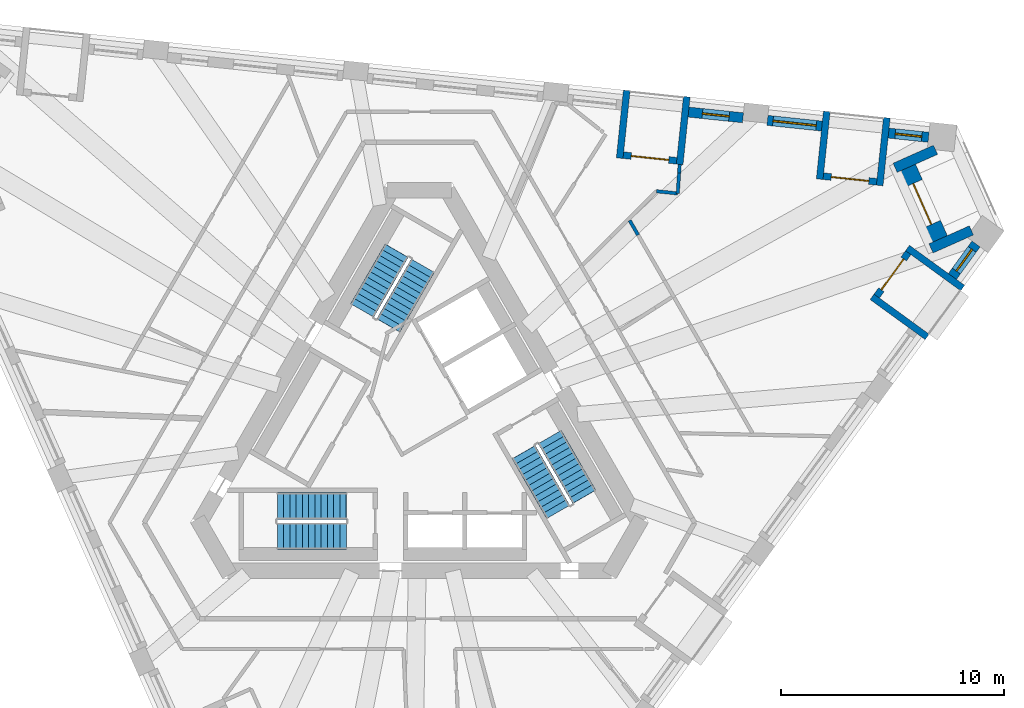
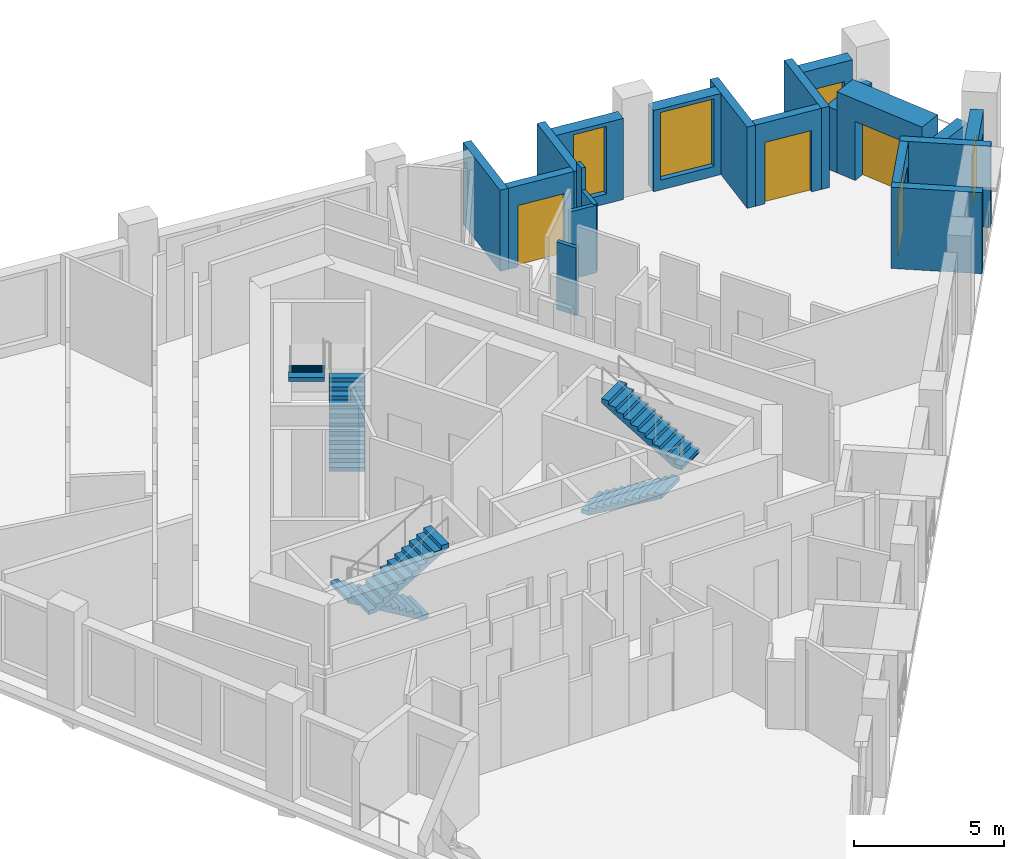
# One storey, part 8 of 11: 20 walls, 6 stair flights, 4 doors, 4 windows, 8 openings, 3 elements without a shape of their own.
"""IFC4 building model written with IfcOpenShell, lengths in metres."""

from ifc_helpers import new_model, si_unit, direction, frame, frame_2d, origin, place, context, subcontext, project, spatial, polyline, rectangle, outline, extrude, material, layer, layer_set, type_object, element, fill, aggregate, save


model = new_model("IFC4")

# Units and contexts
model_context = context("Model", 3, precision=1e-05, world=origin(), true_north=direction((0.0, 1.0)))
body_context = subcontext(model_context, "Body", "Model", "MODEL_VIEW")
ifc_project = project(units=[si_unit("LENGTHUNIT", "METRE"), si_unit("AREAUNIT", "SQUARE_METRE"), si_unit("VOLUMEUNIT", "CUBIC_METRE"), si_unit("PLANEANGLEUNIT", "RADIAN"), si_unit("MASSUNIT", "GRAM", prefix="KILO")], contexts=[model_context])

# Site, building, storey
site_placement = place(None, origin())
site = spatial("IfcSite", under=ifc_project, at=site_placement, CompositionType="ELEMENT")
building_placement = place(site_placement, origin())
building = spatial("IfcBuilding", under=site, at=building_placement, Name="Tramontana Tower", CompositionType="ELEMENT")
storey_placement = place(building_placement, frame((0.0, 0.0, 265.199951171875)))
storey = spatial("IfcBuildingStorey", under=building, at=storey_placement, Name="L62", CompositionType="ELEMENT", Elevation=265.199951171875)

# Wall, opening, window
ifc_material_1 = material(Name="Precast concrete 60 MPa", Category="concrete")
ifc_layer_1 = layer(ifc_material_1, 0.449951171875)
ifc_layer_set_1 = layer_set([ifc_layer_1], Name="Precast concrete 60 MPa, 450 mm")
wall_type_1 = type_object("IfcWallType", Name="EW1 Stone-faced precast wall 450", PredefinedType="SOLIDWALL", material=ifc_layer_set_1)
wall_1_placement = place(storey_placement, frame((23.868408203125, 6.77978515625, 0.0), z_axis=(0.0, 0.0, 1.0), x_axis=(0.587793056764, 0.809011324037, 0.0)))
wall_1 = element("IfcWall", 1, at=wall_1_placement, inside=storey, type_object=wall_type_1, Name="External wall L62 face 1 bay 5", PredefinedType="SOLIDWALL", context=body_context, shape_type="SweptSolid", body=[
    extrude(rectangle(XDim=1.80224609375, YDim=0.449951171875, at=frame_2d((0.901123046875, 0.0))), origin(), (0.0, 0.0, 1.0), 3.300048828125),
])
opening_1_placement = place(wall_1_placement, frame((0.301025390625, 0.0, 0.39990234375)))
opening_1 = element("IfcOpeningElement", 2, at=opening_1_placement, cuts=wall_1, Name="Opening N3L", PredefinedType="OPENING", context=body_context, shape_type="SweptSolid", body=[
    extrude(rectangle(XDim=1.199951171875, YDim=2.10009765625, at=frame_2d((0.60009765625, 1.050048828125))), frame((0.0, 0.23486328125, 0.0), z_axis=(0.0, -1.0, 0.0), x_axis=(1.0, 0.0, 0.0)), (0.0, 0.0, 1.0), 0.469970703125),
])
ifc_material_2 = material(Name="Aluminum frame, double glazing unit", Category="aluminium")
window_type_1 = type_object("IfcWindowType", Name="N3L Window 1.2 x 2.1", PartitioningType="SINGLE_PANEL", PredefinedType="WINDOW", material=ifc_material_2)
window_1_placement = place(opening_1_placement, origin())
window_1 = element("IfcWindow", 3, at=window_1_placement, inside=storey, type_object=window_type_1, Name="Window N3L L62 face 1 module 15", OverallHeight=2.10009765625, OverallWidth=1.199951171875, PartitioningType="SINGLE_PANEL", PredefinedType="WINDOW", context=body_context, shape_type="SweptSolid", body=[
    extrude(rectangle(XDim=1.199951171875, YDim=2.10009765625, at=frame_2d((0.60009765625, 1.050048828125))), frame((0.0, 0.030029296875, 0.0), z_axis=(0.0, -1.0, 0.0), x_axis=(1.0, 0.0, 0.0)), (0.0, 0.0, 1.0), 0.06005859375),
])
fill(opening_1, window_1)

wall_2_placement = place(storey_placement, frame((22.8017578125, 13.012939453125, 0.0), z_axis=(0.0, 0.0, 1.0), x_axis=(-0.994529922737, 0.104452059724, 0.0)))
wall_2 = element("IfcWall", 4, at=wall_2_placement, inside=storey, type_object=wall_type_1, Name="External wall L62 face 2 bay 1", PredefinedType="SOLIDWALL", context=body_context, shape_type="SweptSolid", body=[
    extrude(rectangle(XDim=1.802001953125, YDim=0.449951171875, at=frame_2d((0.90087890625, 0.0))), origin(), (0.0, 0.0, 1.0), 3.300048828125),
])
opening_2_placement = place(wall_2_placement, frame((0.301025390625, 0.0, 0.39990234375)))
opening_2 = element("IfcOpeningElement", 5, at=opening_2_placement, cuts=wall_2, Name="Opening N3L", PredefinedType="OPENING", context=body_context, shape_type="SweptSolid", body=[
    extrude(rectangle(XDim=1.199951171875, YDim=2.10009765625, at=frame_2d((0.60009765625, 1.050048828125))), frame((0.0, 0.23486328125, 0.0), z_axis=(0.0, -1.0, 0.0), x_axis=(1.0, 0.0, 0.0)), (0.0, 0.0, 1.0), 0.469970703125),
])
window_2_placement = place(opening_2_placement, origin())
window_2 = element("IfcWindow", 6, at=window_2_placement, inside=storey, type_object=window_type_1, Name="Window N3L L62 face 2 module 1", OverallHeight=2.10009765625, OverallWidth=1.199951171875, PartitioningType="SINGLE_PANEL", PredefinedType="WINDOW", context=body_context, shape_type="SweptSolid", body=[
    extrude(rectangle(XDim=1.199951171875, YDim=2.10009765625, at=frame_2d((0.60009765625, 1.050048828125))), frame((0.0, 0.030029296875, 0.0), z_axis=(0.0, -1.0, 0.0), x_axis=(1.0, 0.0, 0.0)), (0.0, 0.0, 1.0), 0.06005859375),
])
fill(opening_2, window_2)

wall_3_placement = place(storey_placement, frame((18.023681640625, 13.51513671875, 0.0), z_axis=(0.0, 0.0, 1.0), x_axis=(-0.994520717537, 0.104539668977, 0.0)))
wall_3 = element("IfcWall", 7, at=wall_3_placement, inside=storey, type_object=wall_type_1, Name="External wall L62 face 2 bay 1", PredefinedType="SOLIDWALL", context=body_context, shape_type="SweptSolid", body=[
    extrude(rectangle(XDim=2.4521484375, YDim=0.449951171875, at=frame_2d((1.22607421875, 0.0))), origin(), (0.0, 0.0, 1.0), 3.300048828125),
])
opening_3_placement = place(wall_3_placement, frame((0.251220703125, 0.0, 0.39990234375)))
opening_3 = element("IfcOpeningElement", 8, at=opening_3_placement, cuts=wall_3, Name="Opening M3", PredefinedType="OPENING", context=body_context, shape_type="SweptSolid", body=[
    extrude(rectangle(XDim=1.949951171875, YDim=2.75, at=frame_2d((0.97509765625, 1.375))), frame((0.0, 0.23486328125, 0.0), z_axis=(0.0, -1.0, 0.0), x_axis=(1.0, 0.0, 0.0)), (0.0, 0.0, 1.0), 0.469970703125),
])
ifc_material_3 = material(Name="Aluminum frame, double glazing unit", Category="aluminium")
window_type_2 = type_object("IfcWindowType", Name="M3 Window 1.95 x 2.75", PartitioningType="SINGLE_PANEL", PredefinedType="WINDOW", material=ifc_material_3)
window_3_placement = place(opening_3_placement, origin())
window_3 = element("IfcWindow", 9, at=window_3_placement, inside=storey, type_object=window_type_2, Name="Window M3 L62 face 2 module 3", OverallHeight=2.75, OverallWidth=1.949951171875, PartitioningType="SINGLE_PANEL", PredefinedType="WINDOW", context=body_context, shape_type="SweptSolid", body=[
    extrude(rectangle(XDim=1.949951171875, YDim=2.75, at=frame_2d((0.97509765625, 1.375))), frame((0.0, 0.030029296875, 0.0), z_axis=(0.0, -1.0, 0.0), x_axis=(1.0, 0.0, 0.0)), (0.0, 0.0, 1.0), 0.06005859375),
])
fill(opening_3, window_3)

wall_4_placement = place(storey_placement, frame((14.490966796875, 13.886474609375, 0.0), z_axis=(0.0, 0.0, 1.0), x_axis=(-0.99453214974, 0.104430853361, 0.0)))
wall_4 = element("IfcWall", 10, at=wall_4_placement, inside=storey, type_object=wall_type_1, Name="External wall L62 face 2 bay 2", PredefinedType="SOLIDWALL", context=body_context, shape_type="SweptSolid", body=[
    extrude(rectangle(XDim=2.452392578125, YDim=0.449951171875, at=frame_2d((1.22607421875, 0.0))), origin(), (0.0, 0.0, 1.0), 3.300048828125),
])
opening_4_placement = place(wall_4_placement, frame((0.626220703125, 0.0, 0.39990234375)))
opening_4 = element("IfcOpeningElement", 11, at=opening_4_placement, cuts=wall_4, Name="Opening N3", PredefinedType="OPENING", context=body_context, shape_type="SweptSolid", body=[
    extrude(rectangle(XDim=1.199951171875, YDim=2.75, at=frame_2d((0.60009765625, 1.375))), frame((0.0, 0.23486328125, 0.0), z_axis=(0.0, -1.0, 0.0), x_axis=(1.0, 0.0, 0.0)), (0.0, 0.0, 1.0), 0.469970703125),
])
ifc_material_4 = material(Name="Aluminum frame, double glazing unit", Category="aluminium")
window_type_3 = type_object("IfcWindowType", Name="N3 Window 1.2 x 2.75", PartitioningType="SINGLE_PANEL", PredefinedType="WINDOW", material=ifc_material_4)
window_4_placement = place(opening_4_placement, origin())
window_4 = element("IfcWindow", 12, at=window_4_placement, inside=storey, type_object=window_type_3, Name="Window N3 L62 face 2 module 4", OverallHeight=2.75, OverallWidth=1.199951171875, PartitioningType="SINGLE_PANEL", PredefinedType="WINDOW", context=body_context, shape_type="SweptSolid", body=[
    extrude(rectangle(XDim=1.199951171875, YDim=2.75, at=frame_2d((0.60009765625, 1.375))), frame((0.0, 0.030029296875, 0.0), z_axis=(0.0, -1.0, 0.0), x_axis=(1.0, 0.0, 0.0)), (0.0, 0.0, 1.0), 0.06005859375),
])
fill(opening_4, window_4)

# Walls
for number, where, z_axis, x_axis, name in (
    (13, (23.112548828125, 12.452392578125, 0.0), (0.0, 0.0, 1.0), (-0.913516289312, -0.406802149899, 0.0), "Corner loggia side wall L62 K62l"),
    (14, (24.71923828125, 8.84375, 0.0), (0.0, 0.0, 1.0), (-0.913562124494, -0.406699206651, 0.0), "Corner loggia side wall L62 K62r"),
):
    element("IfcWall", number, at=place(storey_placement, frame(where, z_axis=z_axis, x_axis=x_axis)), inside=storey, type_object=wall_type_1, Name=name, PredefinedType="SOLIDWALL", context=body_context, shape_type="SweptSolid", body=[
        extrude(rectangle(XDim=1.979248046875, YDim=0.449951171875, at=frame_2d((0.98974609375, 0.0))), origin(), (0.0, 0.0, 1.0), 2.550048828125),
    ])

# Wall, opening, door
ifc_material_5 = material(Name="Precast concrete 60 MPa", Category="concrete")
ifc_layer_2 = layer(ifc_material_5, 0.89990234375)
ifc_layer_set_2 = layer_set([ifc_layer_2], Name="EW2 Stone-faced corner loggia wall 900")
wall_type_2 = type_object("IfcWallType", Name="EW2 Stone-faced corner loggia wall 900", PredefinedType="SOLIDWALL", material=ifc_layer_set_2)
wall_5_placement = place(storey_placement, frame((21.80712890625, 11.624755859375, 0.0), z_axis=(0.0, 0.0, 1.0), x_axis=(0.406727323635, -0.913549606868, 0.0)))
wall_5 = element("IfcWall", 15, at=wall_5_placement, inside=storey, type_object=wall_type_2, Name="Corner loggia wall L62 K62", PredefinedType="SOLIDWALL", context=body_context, shape_type="SweptSolid", body=[
    extrude(rectangle(XDim=3.5, YDim=0.89990234375, at=frame_2d((1.75, 0.0))), origin(), (0.0, 0.0, 1.0), 3.300048828125),
])
opening_5_placement = place(wall_5_placement, frame((0.75, 0.0, 0.0)))
opening_5 = element("IfcOpeningElement", 16, at=opening_5_placement, cuts=wall_5, Name="Opening BD-62C", PredefinedType="OPENING", context=body_context, shape_type="SweptSolid", body=[
    extrude(rectangle(XDim=2.0, YDim=2.39990234375, at=frame_2d((1.0, 1.199951171875))), frame((0.0, 0.4599609375, 0.0), z_axis=(0.0, -1.0, 0.0), x_axis=(1.0, 0.0, 0.0)), (0.0, 0.0, 1.0), 0.919921875),
])
ifc_material_6 = material(Name="Aluminum frame, double glazing unit", Category="aluminium")
door_type_1 = type_object("IfcDoorType", Name="BC1 Sliding door 2 x 2.4", OperationType="SLIDING_TO_LEFT", PredefinedType="DOOR", material=ifc_material_6)
door_1_placement = place(opening_5_placement, origin())
door_1 = element("IfcDoor", 17, at=door_1_placement, inside=storey, type_object=door_type_1, Name="Corner loggia door L62 K62", OperationType="SLIDING_TO_LEFT", OverallHeight=2.39990234375, OverallWidth=2.0, PredefinedType="DOOR", context=body_context, shape_type="SweptSolid", body=[
    extrude(rectangle(XDim=2.0, YDim=2.39990234375, at=frame_2d((1.0, 1.199951171875))), frame((0.0, 0.02490234375, 0.0), z_axis=(0.0, -1.0, 0.0), x_axis=(1.0, 0.0, 0.0)), (0.0, 0.0, 1.0), 0.050048828125),
])
fill(opening_5, door_1)

ifc_material_7 = material(Name="Precast concrete 60 MPa", Category="concrete")
ifc_layer_3 = layer(ifc_material_7, 0.300048828125)
ifc_layer_set_3 = layer_set([ifc_layer_3], Name="LW1 Stone-faced loggia wall 300")
wall_type_3 = type_object("IfcWallType", Name="LW1 Stone-faced loggia wall 300", PredefinedType="SOLIDWALL", material=ifc_layer_set_3)
wall_6_placement = place(storey_placement, frame((20.47998046875, 5.9013671875, 0.0), z_axis=(0.0, 0.0, 1.0), x_axis=(0.587833242688, 0.808982125137, 0.0)))
wall_6 = element("IfcWall", 18, at=wall_6_placement, inside=storey, type_object=wall_type_3, Name="Loggia wall L62 G6S1.13", PredefinedType="SOLIDWALL", context=body_context, shape_type="SweptSolid", body=[
    extrude(rectangle(XDim=2.40234375, YDim=0.300048828125, at=frame_2d((1.201171875, 0.0))), origin(), (0.0, 0.0, 1.0), 3.300048828125),
])
opening_6_placement = place(wall_6_placement, frame((0.35107421875, 0.0, 0.0)))
opening_6 = element("IfcOpeningElement", 19, at=opening_6_placement, cuts=wall_6, Name="Opening BD-6S1-13", PredefinedType="OPENING", context=body_context, shape_type="SweptSolid", body=[
    extrude(rectangle(XDim=1.699951171875, YDim=2.5, at=frame_2d((0.85009765625, 1.25))), frame((0.0, 0.159912109375, 0.0), z_axis=(0.0, -1.0, 0.0), x_axis=(1.0, 0.0, 0.0)), (0.0, 0.0, 1.0), 0.320068359375),
])
ifc_material_8 = material(Name="Aluminum frame, double glazing unit", Category="aluminium")
door_type_2 = type_object("IfcDoorType", Name="BD3 Sliding door 1.7 x 2.5", OperationType="SLIDING_TO_LEFT", PredefinedType="DOOR", material=ifc_material_8)
door_2_placement = place(opening_6_placement, origin())
door_2 = element("IfcDoor", 20, at=door_2_placement, inside=storey, type_object=door_type_2, Name="Loggia door L62 G6S1.13", OperationType="SLIDING_TO_LEFT", OverallHeight=2.5, OverallWidth=1.699951171875, PredefinedType="DOOR", context=body_context, shape_type="SweptSolid", body=[
    extrude(rectangle(XDim=1.699951171875, YDim=2.5, at=frame_2d((0.85009765625, 1.25))), frame((0.0, 0.02490234375, 0.0), z_axis=(0.0, -1.0, 0.0), x_axis=(1.0, 0.0, 0.0)), (0.0, 0.0, 1.0), 0.050048828125),
])
fill(opening_6, door_2)

# Walls
for number, where, z_axis, x_axis, name in (
    (21, (22.738037109375, 4.075439453125, 0.0), (0.0, 0.0, 1.0), (-0.80902328748, 0.587776590479, 0.0), "Loggia return L62 G6S1.13a"),
    (22, (24.326416015625, 6.261474609375, 0.0), (0.0, 0.0, 1.0), (-0.808985223782, 0.587828978278, 0.0), "Loggia return L62 G6S1.13b"),
):
    element("IfcWall", number, at=place(storey_placement, frame(where, z_axis=z_axis, x_axis=x_axis)), inside=storey, type_object=wall_type_3, Name=name, PredefinedType="SOLIDWALL", context=body_context, shape_type="SweptSolid", body=[
        extrude(rectangle(XDim=3.050048828125, YDim=0.300048828125, at=frame_2d((1.52490234375, 0.0))), origin(), (0.0, 0.0, 1.0), 3.300048828125),
    ])

# Wall, opening, door
wall_7_placement = place(storey_placement, frame((20.478515625, 11.019775390625, 0.0), z_axis=(0.0, 0.0, 1.0), x_axis=(-0.994517140727, 0.104573690763, 0.0)))
wall_7 = element("IfcWall", 23, at=wall_7_placement, inside=storey, type_object=wall_type_3, Name="Loggia wall L62 G6S2.1", PredefinedType="SOLIDWALL", context=body_context, shape_type="SweptSolid", body=[
    extrude(rectangle(XDim=2.40234375, YDim=0.300048828125, at=frame_2d((1.201171875, 0.0))), origin(), (0.0, 0.0, 1.0), 3.300048828125),
])
opening_7_placement = place(wall_7_placement, frame((0.35107421875, 0.0, 0.0)))
opening_7 = element("IfcOpeningElement", 24, at=opening_7_placement, cuts=wall_7, Name="Opening BD-6S2-01", PredefinedType="OPENING", context=body_context, shape_type="SweptSolid", body=[
    extrude(rectangle(XDim=1.699951171875, YDim=2.5, at=frame_2d((0.85009765625, 1.25))), frame((0.0, 0.159912109375, 0.0), z_axis=(0.0, -1.0, 0.0), x_axis=(1.0, 0.0, 0.0)), (0.0, 0.0, 1.0), 0.320068359375),
])
door_3_placement = place(opening_7_placement, origin())
door_3 = element("IfcDoor", 25, at=door_3_placement, inside=storey, type_object=door_type_2, Name="Loggia door L62 G6S2.1", OperationType="SLIDING_TO_LEFT", OverallHeight=2.5, OverallWidth=1.699951171875, PredefinedType="DOOR", context=body_context, shape_type="SweptSolid", body=[
    extrude(rectangle(XDim=1.699951171875, YDim=2.5, at=frame_2d((0.85009765625, 1.25))), frame((0.0, 0.02490234375, 0.0), z_axis=(0.0, -1.0, 0.0), x_axis=(1.0, 0.0, 0.0)), (0.0, 0.0, 1.0), 0.050048828125),
])
fill(opening_7, door_3)

# Walls
for number, where, z_axis, x_axis, name in (
    (26, (20.930908203125, 13.88818359375, 0.0), (0.0, 0.0, 1.0), (-0.104543108891, -0.994520355942, 0.0), "Loggia return L62 G6S2.1a"),
    (27, (18.243408203125, 14.170654296875, 0.0), (0.0, 0.0, 1.0), (-0.104543108891, -0.994520355942, 0.0), "Loggia return L62 G6S2.1b"),
):
    element("IfcWall", number, at=place(storey_placement, frame(where, z_axis=z_axis, x_axis=x_axis)), inside=storey, type_object=wall_type_3, Name=name, PredefinedType="SOLIDWALL", context=body_context, shape_type="SweptSolid", body=[
        extrude(rectangle(XDim=3.0498046875, YDim=0.300048828125, at=frame_2d((1.52490234375, 0.0))), origin(), (0.0, 0.0, 1.0), 3.300048828125),
    ])

# Wall, opening, door
wall_8_placement = place(storey_placement, frame((11.521240234375, 11.961181640625, 0.0), z_axis=(0.0, 0.0, 1.0), x_axis=(-0.994517140727, 0.104573690763, 0.0)))
wall_8 = element("IfcWall", 28, at=wall_8_placement, inside=storey, type_object=wall_type_3, Name="Loggia wall L62 G6S2.4", PredefinedType="SOLIDWALL", context=body_context, shape_type="SweptSolid", body=[
    extrude(rectangle(XDim=2.40234375, YDim=0.300048828125, at=frame_2d((1.201171875, 0.0))), origin(), (0.0, 0.0, 1.0), 3.300048828125),
])
opening_8_placement = place(wall_8_placement, frame((0.35107421875, 0.0, 0.0)))
opening_8 = element("IfcOpeningElement", 29, at=opening_8_placement, cuts=wall_8, Name="Opening BD-6S2-04", PredefinedType="OPENING", context=body_context, shape_type="SweptSolid", body=[
    extrude(rectangle(XDim=1.699951171875, YDim=2.5, at=frame_2d((0.85009765625, 1.25))), frame((0.0, 0.159912109375, 0.0), z_axis=(0.0, -1.0, 0.0), x_axis=(1.0, 0.0, 0.0)), (0.0, 0.0, 1.0), 0.320068359375),
])
door_4_placement = place(opening_8_placement, origin())
door_4 = element("IfcDoor", 30, at=door_4_placement, inside=storey, type_object=door_type_2, Name="Loggia door L62 G6S2.4", OperationType="SLIDING_TO_LEFT", OverallHeight=2.5, OverallWidth=1.699951171875, PredefinedType="DOOR", context=body_context, shape_type="SweptSolid", body=[
    extrude(rectangle(XDim=1.699951171875, YDim=2.5, at=frame_2d((0.85009765625, 1.25))), frame((0.0, 0.02490234375, 0.0), z_axis=(0.0, -1.0, 0.0), x_axis=(1.0, 0.0, 0.0)), (0.0, 0.0, 1.0), 0.050048828125),
])
fill(opening_8, door_4)

# Walls
for number, where, z_axis, x_axis, name in (
    (31, (11.973388671875, 14.82958984375, 0.0), (0.0, 0.0, 1.0), (-0.104463934444, -0.994528675504, 0.0), "Loggia return L62 G6S2.4a"),
    (32, (9.2861328125, 15.112060546875, 0.0), (0.0, 0.0, 1.0), (-0.104543108891, -0.994520355942, 0.0), "Loggia return L62 G6S2.4b"),
):
    element("IfcWall", number, at=place(storey_placement, frame(where, z_axis=z_axis, x_axis=x_axis)), inside=storey, type_object=wall_type_3, Name=name, PredefinedType="SOLIDWALL", context=body_context, shape_type="SweptSolid", body=[
        extrude(rectangle(XDim=3.0498046875, YDim=0.300048828125, at=frame_2d((1.52490234375, 0.0))), origin(), (0.0, 0.0, 1.0), 3.300048828125),
    ])
ifc_material_9 = material(Name="Gypsum board partition")
ifc_layer_4 = layer(ifc_material_9, 0.14990234375)
ifc_layer_set_4 = layer_set([ifc_layer_4], Name="PARTITION 150")
wall_type_4 = type_object("IfcWallType", Name="PARTITION 150", PredefinedType="PARTITIONING", material=ifc_layer_set_4)
wall_9_placement = place(storey_placement, frame((9.415771484375, 9.291259765625, 0.0), z_axis=(0.0, 0.0, 1.0), x_axis=(0.500132351176, -0.865948977311, 0.0)))
element("IfcWall", 33, at=wall_9_placement, inside=storey, type_object=wall_type_4, Name="Wall v62-pw27-0", PredefinedType="PARTITIONING", context=body_context, shape_type="SweptSolid", body=[
    extrude(rectangle(XDim=0.756103515625, YDim=0.14990234375, at=frame_2d((0.3779296875, 0.0))), origin(), (0.0, 0.0, 1.0), 2.75),
])
wall_10_placement = place(storey_placement, frame((10.618896484375, 10.597900390625, 0.0), z_axis=(0.0, 0.0, 1.0), x_axis=(0.994522285292, -0.104524753323, 0.0)))
element("IfcWall", 34, at=wall_10_placement, inside=storey, type_object=wall_type_4, Name="Wall v62-pw31-0", PredefinedType="PARTITIONING", context=body_context, shape_type="SweptSolid", body=[
    extrude(rectangle(XDim=0.952880859375, YDim=0.14990234375, at=frame_2d((0.4765625, 0.0))), origin(), (0.0, 0.0, 1.0), 2.75),
])
wall_11_placement = place(storey_placement, frame((11.56884765625, 10.5, 0.0), z_axis=(0.0, 0.0, 1.0), x_axis=(0.065954162618, 0.997822653798, 0.0)))
element("IfcWall", 35, at=wall_11_placement, inside=storey, type_object=wall_type_4, Name="Wall v62-pw33-0", PredefinedType="PARTITIONING", context=body_context, shape_type="SweptSolid", body=[
    extrude(rectangle(XDim=0.91796875, YDim=0.14990234375, at=frame_2d((0.458984375, 0.0))), origin(), (0.0, 0.0, 1.0), 2.75),
])
wall_12_placement = place(storey_placement, frame((11.62939453125, 11.416015625, 0.0), z_axis=(0.0, 0.0, 1.0), x_axis=(0.066604022224, 0.997779486772, 0.0)))
element("IfcWall", 36, at=wall_12_placement, inside=storey, type_object=wall_type_4, Name="Wall v62-pw33-1", PredefinedType="PARTITIONING", context=body_context, shape_type="SweptSolid", body=[
    extrude(rectangle(XDim=0.381103515625, YDim=0.14990234375, at=frame_2d((0.1904296875, 0.0))), origin(), (0.0, 0.0, 1.0), 3.650146484375),
])

# Stair, stair flights
ifc_material_10 = material(Name="Concrete 40 MPa", Category="concrete")
stair_type = type_object("IfcStairType", Name="EXIT STAIR 24 RISERS", PredefinedType="HALF_TURN_STAIR", material=ifc_material_10)
stair_1_placement = place(storey_placement, origin())
stair_1 = element("IfcStair", 37, at=stair_1_placement, inside=storey, type_object=stair_type, Name="L62 Exit stair ST1", PredefinedType="HALF_TURN_STAIR")
ifc_material_11 = material(Name="Concrete 40 MPa", Category="concrete")
ifc_layer_5 = layer(ifc_material_11, 0.14990234375)
ifc_layer_set_5 = layer_set([ifc_layer_5], Name="EXIT STAIR FLIGHT")
stair_flight_type = type_object("IfcStairFlightType", Name="EXIT STAIR FLIGHT", PredefinedType="STRAIGHT", material=ifc_layer_set_5)
stair_flight_1_placement = place(storey_placement, frame((-1.39111328125, 4.590576171875, 0.0), z_axis=(0.0, 0.0, 1.0), x_axis=(0.5, 0.866025403784, 0.0)))
stair_flight_1 = element("IfcStairFlight", 38, at=stair_flight_1_placement, type_object=stair_flight_type, Name="ST1 flight 1", NumberOfRisers=12, NumberOfTreads=11, PredefinedType="STRAIGHT", RiserHeight=0.166666667, TreadLength=0.28, context=body_context, shape_type="SweptSolid", body=[
    extrude(outline(polyline([(-0.006103515625, 0.0), (-0.006103515625, 0.0400390625), (0.0, 0.0400390625), (0.0, 0.166748046875), (0.280029296875, 0.166748046875), (0.280029296875, 0.333251953125), (0.56005859375, 0.333251953125), (0.56005859375, 0.5), (0.840087890625, 0.5), (0.840087890625, 0.666748046875), (1.1201171875, 0.666748046875), (1.1201171875, 0.833251953125), (1.39990234375, 0.833251953125), (1.39990234375, 1.0), (1.679931640625, 1.0), (1.679931640625, 1.166748046875), (1.9599609375, 1.166748046875), (1.9599609375, 1.333251953125), (2.239990234375, 1.333251953125), (2.239990234375, 1.5), (2.52001953125, 1.5), (2.52001953125, 1.666748046875), (2.800048828125, 1.666748046875), (2.800048828125, 1.833251953125), (3.080078125, 1.833251953125), (3.0859375, 1.833251953125), (3.0859375, 1.658935546875), (0.299072265625, 0.0), (-0.006103515625, 0.0)])), frame((0.0, 0.60009765625, 0.0), z_axis=(0.0, -1.0, 0.0), x_axis=(1.0, 0.0, 0.0)), (0.0, 0.0, 1.0), 1.199951171875),
])
stair_flight_2_placement = place(storey_placement, frame((-1.020263671875, 7.932861328125, 2.0), z_axis=(0.0, 0.0, 1.0), x_axis=(-0.5, -0.866025403784, 0.0)))
stair_flight_2 = element("IfcStairFlight", 39, at=stair_flight_2_placement, type_object=stair_flight_type, Name="ST1 flight 2", NumberOfRisers=12, NumberOfTreads=11, PredefinedType="STRAIGHT", RiserHeight=0.166666667, TreadLength=0.28, context=body_context, shape_type="SweptSolid", body=[
    extrude(outline(polyline([(-0.006103515625, 0.0), (-0.006103515625, 0.0400390625), (0.0, 0.0400390625), (0.0, 0.166748046875), (0.280029296875, 0.166748046875), (0.280029296875, 0.333251953125), (0.56005859375, 0.333251953125), (0.56005859375, 0.5), (0.840087890625, 0.5), (0.840087890625, 0.666748046875), (1.1201171875, 0.666748046875), (1.1201171875, 0.833251953125), (1.39990234375, 0.833251953125), (1.39990234375, 1.0), (1.679931640625, 1.0), (1.679931640625, 1.166748046875), (1.9599609375, 1.166748046875), (1.9599609375, 1.333251953125), (2.239990234375, 1.333251953125), (2.239990234375, 1.5), (2.52001953125, 1.5), (2.52001953125, 1.666748046875), (2.800048828125, 1.666748046875), (2.800048828125, 1.833251953125), (3.080078125, 1.833251953125), (3.0859375, 1.833251953125), (3.0859375, 1.658935546875), (0.299072265625, 0.0), (-0.006103515625, 0.0)])), frame((0.0, 0.60009765625, 0.0), z_axis=(0.0, -1.0, 0.0), x_axis=(1.0, 0.0, 0.0)), (0.0, 0.0, 1.0), 1.199951171875),
])
aggregate(stair_1, [stair_flight_1, stair_flight_2])

stair_2_placement = place(storey_placement, origin())
stair_2 = element("IfcStair", 40, at=stair_2_placement, inside=storey, type_object=stair_type, Name="L62 Exit stair ST2", PredefinedType="HALF_TURN_STAIR")
stair_flight_3_placement = place(storey_placement, frame((-3.280029296875, -3.5, 0.0), z_axis=(0.0, 0.0, 1.0), x_axis=(-1.0, 0.0, 0.0)))
stair_flight_3 = element("IfcStairFlight", 41, at=stair_flight_3_placement, type_object=stair_flight_type, Name="ST2 flight 1", NumberOfRisers=12, NumberOfTreads=11, PredefinedType="STRAIGHT", RiserHeight=0.166666667, TreadLength=0.28, context=body_context, shape_type="SweptSolid", body=[
    extrude(outline(polyline([(-0.006103515625, 0.0), (-0.006103515625, 0.0400390625), (0.0, 0.0400390625), (0.0, 0.166748046875), (0.280029296875, 0.166748046875), (0.280029296875, 0.333251953125), (0.56005859375, 0.333251953125), (0.56005859375, 0.5), (0.840087890625, 0.5), (0.840087890625, 0.666748046875), (1.1201171875, 0.666748046875), (1.1201171875, 0.833251953125), (1.39990234375, 0.833251953125), (1.39990234375, 1.0), (1.679931640625, 1.0), (1.679931640625, 1.166748046875), (1.9599609375, 1.166748046875), (1.9599609375, 1.333251953125), (2.239990234375, 1.333251953125), (2.239990234375, 1.5), (2.52001953125, 1.5), (2.52001953125, 1.666748046875), (2.800048828125, 1.666748046875), (2.800048828125, 1.833251953125), (3.080078125, 1.833251953125), (3.0859375, 1.833251953125), (3.0859375, 1.658935546875), (0.299072265625, 0.0), (-0.006103515625, 0.0)])), frame((0.0, 0.60009765625, 0.0), z_axis=(0.0, -1.0, 0.0), x_axis=(1.0, 0.0, 0.0)), (0.0, 0.0, 1.0), 1.199951171875),
])
stair_flight_4_placement = place(storey_placement, frame((-6.360107421875, -4.85009765625, 2.0), z_axis=(0.0, 0.0, 1.0), x_axis=(1.0, 0.0, 0.0)))
stair_flight_4 = element("IfcStairFlight", 42, at=stair_flight_4_placement, type_object=stair_flight_type, Name="ST2 flight 2", NumberOfRisers=12, NumberOfTreads=11, PredefinedType="STRAIGHT", RiserHeight=0.166666667, TreadLength=0.28, context=body_context, shape_type="SweptSolid", body=[
    extrude(outline(polyline([(-0.006103515625, 0.0), (-0.006103515625, 0.0400390625), (0.0, 0.0400390625), (0.0, 0.166748046875), (0.280029296875, 0.166748046875), (0.280029296875, 0.333251953125), (0.56005859375, 0.333251953125), (0.56005859375, 0.5), (0.840087890625, 0.5), (0.840087890625, 0.666748046875), (1.1201171875, 0.666748046875), (1.1201171875, 0.833251953125), (1.39990234375, 0.833251953125), (1.39990234375, 1.0), (1.679931640625, 1.0), (1.679931640625, 1.166748046875), (1.9599609375, 1.166748046875), (1.9599609375, 1.333251953125), (2.239990234375, 1.333251953125), (2.239990234375, 1.5), (2.52001953125, 1.5), (2.52001953125, 1.666748046875), (2.800048828125, 1.666748046875), (2.800048828125, 1.833251953125), (3.080078125, 1.833251953125), (3.0859375, 1.833251953125), (3.0859375, 1.658935546875), (0.299072265625, 0.0), (-0.006103515625, 0.0)])), frame((0.0, 0.60009765625, 0.0), z_axis=(0.0, -1.0, 0.0), x_axis=(1.0, 0.0, 0.0)), (0.0, 0.0, 1.0), 1.199951171875),
])
aggregate(stair_2, [stair_flight_3, stair_flight_4])

stair_3_placement = place(storey_placement, origin())
stair_3 = element("IfcStair", 43, at=stair_3_placement, inside=storey, type_object=stair_type, Name="L62 Exit stair ST3", PredefinedType="HALF_TURN_STAIR")
stair_flight_5_placement = place(storey_placement, frame((4.671142578125, -1.090576171875, 0.0), z_axis=(0.0, 0.0, 1.0), x_axis=(0.5, -0.866025403784, 0.0)))
stair_flight_5 = element("IfcStairFlight", 44, at=stair_flight_5_placement, type_object=stair_flight_type, Name="ST3 flight 1", NumberOfRisers=12, NumberOfTreads=11, PredefinedType="STRAIGHT", RiserHeight=0.166666667, TreadLength=0.28, context=body_context, shape_type="SweptSolid", body=[
    extrude(outline(polyline([(-0.006103515625, 0.0), (-0.006103515625, 0.0400390625), (0.0, 0.0400390625), (0.0, 0.166748046875), (0.280029296875, 0.166748046875), (0.280029296875, 0.333251953125), (0.56005859375, 0.333251953125), (0.56005859375, 0.5), (0.840087890625, 0.5), (0.840087890625, 0.666748046875), (1.1201171875, 0.666748046875), (1.1201171875, 0.833251953125), (1.39990234375, 0.833251953125), (1.39990234375, 1.0), (1.679931640625, 1.0), (1.679931640625, 1.166748046875), (1.9599609375, 1.166748046875), (1.9599609375, 1.333251953125), (2.239990234375, 1.333251953125), (2.239990234375, 1.5), (2.52001953125, 1.5), (2.52001953125, 1.666748046875), (2.800048828125, 1.666748046875), (2.800048828125, 1.833251953125), (3.080078125, 1.833251953125), (3.0859375, 1.833251953125), (3.0859375, 1.658935546875), (0.299072265625, 0.0), (-0.006103515625, 0.0)])), frame((0.0, 0.60009765625, 0.0), z_axis=(0.0, -1.0, 0.0), x_axis=(1.0, 0.0, 0.0)), (0.0, 0.0, 1.0), 1.199951171875),
])
stair_flight_6_placement = place(storey_placement, frame((7.380126953125, -3.0830078125, 2.0), z_axis=(0.0, 0.0, 1.0), x_axis=(-0.5, 0.866025403784, 0.0)))
stair_flight_6 = element("IfcStairFlight", 45, at=stair_flight_6_placement, type_object=stair_flight_type, Name="ST3 flight 2", NumberOfRisers=12, NumberOfTreads=11, PredefinedType="STRAIGHT", RiserHeight=0.166666667, TreadLength=0.28, context=body_context, shape_type="SweptSolid", body=[
    extrude(outline(polyline([(-0.006103515625, 0.0), (-0.006103515625, 0.0400390625), (0.0, 0.0400390625), (0.0, 0.166748046875), (0.280029296875, 0.166748046875), (0.280029296875, 0.333251953125), (0.56005859375, 0.333251953125), (0.56005859375, 0.5), (0.840087890625, 0.5), (0.840087890625, 0.666748046875), (1.1201171875, 0.666748046875), (1.1201171875, 0.833251953125), (1.39990234375, 0.833251953125), (1.39990234375, 1.0), (1.679931640625, 1.0), (1.679931640625, 1.166748046875), (1.9599609375, 1.166748046875), (1.9599609375, 1.333251953125), (2.239990234375, 1.333251953125), (2.239990234375, 1.5), (2.52001953125, 1.5), (2.52001953125, 1.666748046875), (2.800048828125, 1.666748046875), (2.800048828125, 1.833251953125), (3.080078125, 1.833251953125), (3.0859375, 1.833251953125), (3.0859375, 1.658935546875), (0.299072265625, 0.0), (-0.006103515625, 0.0)])), frame((0.0, 0.60009765625, 0.0), z_axis=(0.0, -1.0, 0.0), x_axis=(1.0, 0.0, 0.0)), (0.0, 0.0, 1.0), 1.199951171875),
])
aggregate(stair_3, [stair_flight_5, stair_flight_6])

save(model, "model.ifc")
